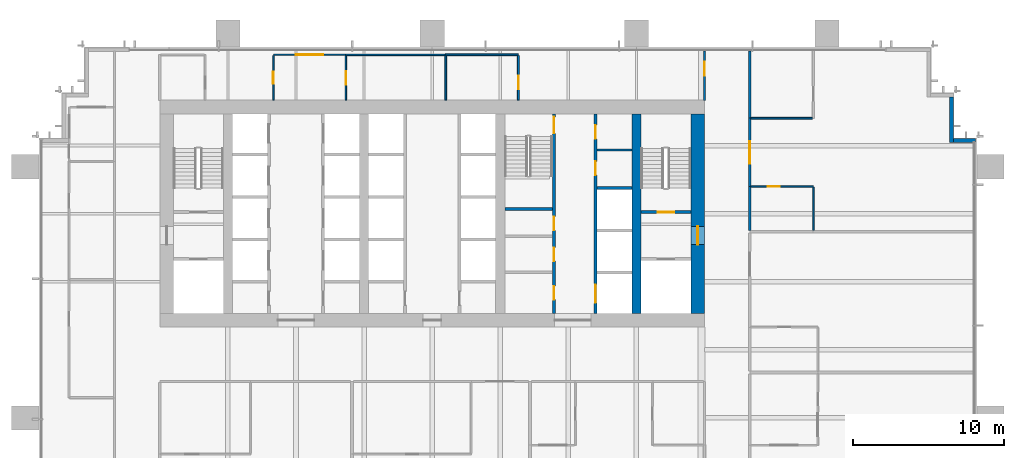
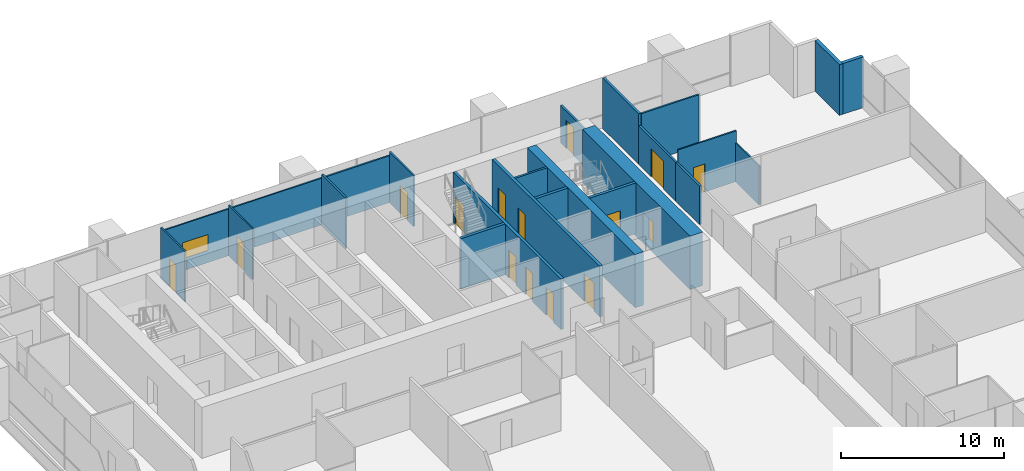
# One storey, part 15 of 17: 24 walls, 15 doors, 1 window, 16 openings.
"""IFC4 building model written with IfcOpenShell, lengths in metres."""

import ifcopenshell
import ifcopenshell.guid

model = None  # the IFC model being written
_history = None  # IfcOwnerHistory: only IFC2X3 demands one
_inside = {}  # id of a spatial element -> (the spatial element, [elements in it])
_under = {}  # id of a project, library or spatial element -> (it, [spatial elements below it])
_declared = {}  # id of a project -> (the project, [libraries it declares])
_typed = {}  # id of a type object -> (the type object, [elements of that type])
_made_of = {}  # id of a material, layer set ... -> (it, [elements and type objects made of it])


def new_model(schema):
    """Start an empty IFC model of exactly this schema.

    Asked for "IFC4X3", IfcOpenShell would pick the latest addendum, in which some entities
    have other attributes; the version numbers below select the first issue.
    IFC2X3 requires an IfcOwnerHistory on every rooted entity: one is made here for all.
    """
    global model, _history
    if schema == "IFC4X3":
        model = ifcopenshell.file(schema_version=(4, 3, 0, 0))
    else:
        model = ifcopenshell.file(schema=schema)
    _inside.clear()
    _under.clear()
    _declared.clear()
    _typed.clear()
    _made_of.clear()
    _history = None
    if model.schema == "IFC2X3":
        org = make("IfcOrganization", Name="unknown")
        user = make(
            "IfcPersonAndOrganization",
            ThePerson=make("IfcPerson", FamilyName="unknown"),
            TheOrganization=org,
        )
        app = make(
            "IfcApplication",
            ApplicationDeveloper=org,
            Version="unknown",
            ApplicationFullName="unknown",
            ApplicationIdentifier="unknown",
        )
        _history = make(
            "IfcOwnerHistory",
            OwningUser=user,
            OwningApplication=app,
            ChangeAction="ADDED",
            CreationDate=0,
        )
    return model


def make(cls, **values):
    """One entity of the class cls with the attributes given. An attribute that is None is left unset."""
    return model.create_entity(
        cls, **{name: value for name, value in values.items() if value is not None}
    )


def rooted(cls, **values):
    """An entity with a GlobalId (a new one), such as an element, a storey or a relation."""
    return make(cls, GlobalId=ifcopenshell.guid.new(), OwnerHistory=_history, **values)


def si_unit(unit_type, name, prefix=None):
    """IfcSIUnit, for example si_unit("LENGTHUNIT", "METRE", prefix="MILLI")."""
    return make("IfcSIUnit", UnitType=unit_type, Prefix=prefix, Name=name)


def assignment(units):
    """IfcUnitAssignment: the units of a project."""
    return None if units is None else make("IfcUnitAssignment", Units=units)


def point(xyz):
    """IfcCartesianPoint."""
    return None if xyz is None else make("IfcCartesianPoint", Coordinates=xyz)


def direction(xyz):
    """IfcDirection."""
    return None if xyz is None else make("IfcDirection", DirectionRatios=xyz)


def frame(location, z_axis=None, x_axis=None):
    """IfcAxis2Placement3D, a coordinate frame: its origin and axes. An axis left out is left unset."""
    return make(
        "IfcAxis2Placement3D",
        Location=point(location),
        Axis=direction(z_axis),
        RefDirection=direction(x_axis),
    )


def frame_2d(location, x_axis=None):
    """IfcAxis2Placement2D, a coordinate frame in the plane: its origin and x axis."""
    return make(
        "IfcAxis2Placement2D", Location=point(location), RefDirection=direction(x_axis)
    )


def origin():
    """The frame at (0, 0, 0) with its axes left unset."""
    return frame((0.0, 0.0, 0.0))


def place(relative_to, where):
    """IfcLocalPlacement: puts the frame where relative to a parent placement (None: the world)."""
    return make(
        "IfcLocalPlacement", PlacementRelTo=relative_to, RelativePlacement=where
    )


def context(
    kind, dimensions, precision=None, world=None, true_north=None, identifier=None
):
    """IfcGeometricRepresentationContext, for example the 3D "Model" context."""
    return make(
        "IfcGeometricRepresentationContext",
        ContextIdentifier=identifier,
        ContextType=kind,
        CoordinateSpaceDimension=dimensions,
        Precision=precision,
        WorldCoordinateSystem=world,
        TrueNorth=true_north,
    )


def subcontext(parent, identifier, kind, view, scale=None):
    """IfcGeometricRepresentationSubContext, for example "Body" below "Model"."""
    return make(
        "IfcGeometricRepresentationSubContext",
        ContextIdentifier=identifier,
        ContextType=kind,
        ParentContext=parent,
        TargetScale=scale,
        TargetView=view,
    )


def project(units=None, contexts=None):
    """IfcProject with its units and contexts."""
    return rooted(
        "IfcProject",
        Name="project",
        RepresentationContexts=contexts,
        UnitsInContext=assignment(units),
    )


def spatial(cls, under=None, at=None, **own):
    """A site, building, storey or space (cls), placed at a placement, below another one or the project."""
    s = rooted(cls, ObjectPlacement=at, **own)
    if under is not None:
        _under.setdefault(under.id(), (under, []))[1].append(s)
    return s


def profile(cls, at=None, kind="AREA", **sizes):
    """A parametric profile (cls). Its sizes go by their IFC names, for example OverallWidth=200.0."""
    return make(cls, ProfileType=kind, Position=at, **sizes)


def rectangle(**sizes):
    """IfcRectangleProfileDef."""
    return profile("IfcRectangleProfileDef", **sizes)


def extrude(swept, where, along, depth):
    """IfcExtrudedAreaSolid: the profile swept, set in the frame where, extruded along a direction by depth."""
    return make(
        "IfcExtrudedAreaSolid",
        SweptArea=swept,
        Position=where,
        ExtrudedDirection=direction(along),
        Depth=depth,
    )


def shape(context_of_items, identifier, shape_type, items):
    """IfcShapeRepresentation: the items that make up one representation, for example the "Body"."""
    return make(
        "IfcShapeRepresentation",
        ContextOfItems=context_of_items,
        RepresentationIdentifier=identifier,
        RepresentationType=shape_type,
        Items=items,
    )


def material(Name=None, Category=None):
    """IfcMaterial."""
    return make("IfcMaterial", Name=Name, Category=Category)


def layer(
    of_material, thickness, ventilated=None, Name=None, Category=None, Priority=None
):
    """IfcMaterialLayer: one layer of a wall or slab, of a material (None: an air gap)."""
    return make(
        "IfcMaterialLayer",
        Material=of_material,
        LayerThickness=thickness,
        IsVentilated=ventilated,
        Name=Name,
        Category=Category,
        Priority=Priority,
    )


def layer_set(layers, Name=None):
    """IfcMaterialLayerSet."""
    return make("IfcMaterialLayerSet", MaterialLayers=layers, LayerSetName=Name)


def made_of(thing, what):
    """Note that an element or type object is made of a material, layer set ...; save() writes the relation."""
    if what is not None:
        _made_of.setdefault(what.id(), (what, []))[1].append(thing)
    return thing


def type_object(cls, material=None, **own):
    """A type object (cls), such as IfcWallType, which elements share."""
    return made_of(rooted(cls, **own), material)


def element(
    cls,
    number,
    at=None,
    inside=None,
    cuts=None,
    type_object=None,
    material=None,
    context=None,
    identifier="Body",
    shape_type=None,
    held_by="IfcProductDefinitionShape",
    body=None,
    shapes=None,
    **own,
):
    """One element of the class cls, such as IfcWall. Its Tag is "e" and its number.

    at: its placement. inside: the storey or other place that contains it. cuts: it is an
    opening in that element (IfcRelVoidsElement). A single representation is given by context,
    identifier, shape_type and body (its items); several are given by shapes. held_by: the class
    of the entity that holds the representations. save() writes the other relations.
    """
    e = rooted(cls, Tag="e%d" % number, ObjectPlacement=at, **own)
    if body is not None:
        shapes = [shape(context, identifier, shape_type, body)]
    if shapes is not None:
        e.Representation = make(held_by, Representations=shapes)
    if inside is not None:
        _inside.setdefault(inside.id(), (inside, []))[1].append(e)
    if cuts is not None:
        rooted(
            "IfcRelVoidsElement", RelatingBuildingElement=cuts, RelatedOpeningElement=e
        )
    if type_object is not None:
        _typed.setdefault(type_object.id(), (type_object, []))[1].append(e)
    return made_of(e, material)


def fill(opening, filler):
    """IfcRelFillsElement: the door or window that sits in an opening."""
    return rooted(
        "IfcRelFillsElement",
        RelatingOpeningElement=opening,
        RelatedBuildingElement=filler,
    )


def aggregate(whole, parts):
    """IfcRelAggregates: a whole, such as a stair, and the parts it consists of."""
    return rooted("IfcRelAggregates", RelatingObject=whole, RelatedObjects=parts)


def save(model, path):
    """Write the relations noted so far, then the file.

    IfcRelAggregates (storeys below a building ...), IfcRelContainedInSpatialStructure (elements
    in a storey), IfcRelDefinesByType, IfcRelAssociatesMaterial and IfcRelDeclares: one each for
    every whole, place, type object, material and project.
    """
    for whole, parts in _under.values():
        aggregate(whole, parts)
    for where, things in _inside.values():
        rooted(
            "IfcRelContainedInSpatialStructure",
            RelatedElements=things,
            RelatingStructure=where,
        )
    for kind, things in _typed.values():
        rooted("IfcRelDefinesByType", RelatedObjects=things, RelatingType=kind)
    for what, things in _made_of.values():
        rooted("IfcRelAssociatesMaterial", RelatedObjects=things, RelatingMaterial=what)
    for by, libraries in _declared.values():
        rooted("IfcRelDeclares", RelatingContext=by, RelatedDefinitions=libraries)
    model.write(path)


model = new_model("IFC4")

# Units and contexts
model_context = context("Model", 3, precision=1e-05, world=origin(), true_north=direction((0.0, 1.0)))
body_context = subcontext(model_context, "Body", "Model", "MODEL_VIEW")
ifc_project = project(units=[si_unit("LENGTHUNIT", "METRE"), si_unit("AREAUNIT", "SQUARE_METRE"), si_unit("VOLUMEUNIT", "CUBIC_METRE"), si_unit("PLANEANGLEUNIT", "RADIAN"), si_unit("MASSUNIT", "GRAM", prefix="KILO")], contexts=[model_context])

# Site, building, storey
site_placement = place(None, origin())
site = spatial("IfcSite", under=ifc_project, at=site_placement, CompositionType="ELEMENT")
building_placement = place(site_placement, origin())
building = spatial("IfcBuilding", under=site, at=building_placement, Name="Rattan Terrace Tower", CompositionType="ELEMENT")
storey_placement = place(building_placement, frame((0.0, 0.0, 107.699951171875)))
storey = spatial("IfcBuildingStorey", under=building, at=storey_placement, Name="L24", CompositionType="ELEMENT", Elevation=107.699951171875)

# Wall
ifc_material_1 = material(Name="Gypsum board partition")
ifc_layer_1 = layer(ifc_material_1, 0.14990234375)
ifc_layer_set_1 = layer_set([ifc_layer_1], Name="Core partition 150")
wall_type_1 = type_object("IfcWallType", Name="Core partition 150", PredefinedType="PARTITIONING", material=ifc_layer_set_1)
wall_1_placement = place(storey_placement, frame((10.89990234375, 4.199951171875, 0.0), z_axis=(0.0, 0.0, 1.0), x_axis=(1.0, 0.0, 0.0)))
element("IfcWall", 1, at=wall_1_placement, inside=storey, type_object=wall_type_1, Name="Riser room wall", PredefinedType="PARTITIONING", context=body_context, shape_type="SweptSolid", body=[
    extrude(rectangle(XDim=2.300048828125, YDim=0.14990234375, at=frame_2d((1.14990234375, 0.0))), origin(), (0.0, 0.0, 1.0), 3.800048828125),
])

# Wall, opening, door
ifc_material_2 = material(Name="Gypsum board partition")
ifc_layer_2 = layer(ifc_material_2, 0.199951171875)
ifc_layer_set_2 = layer_set([ifc_layer_2], Name="Core partition 200")
wall_type_2 = type_object("IfcWallType", Name="Core partition 200", PredefinedType="PARTITIONING", material=ifc_layer_set_2)
wall_2_placement = place(storey_placement, frame((13.800048828125, 0.10009765625, 0.0), z_axis=(0.0, 0.0, 1.0), x_axis=(1.0, 0.0, 0.0)))
wall_2 = element("IfcWall", 2, at=wall_2_placement, inside=storey, type_object=wall_type_2, Name="Stair enclosure wall", PredefinedType="PARTITIONING", context=body_context, shape_type="SweptSolid", body=[
    extrude(rectangle(XDim=3.300048828125, YDim=0.199951171875, at=frame_2d((1.64990234375, 0.0))), origin(), (0.0, 0.0, 1.0), 3.800048828125),
])
opening_1_placement = place(wall_2_placement, frame((1.10009765625, 0.0, 0.0)))
opening_1 = element("IfcOpeningElement", 3, at=opening_1_placement, cuts=wall_2, Name="Opening L24-D004", PredefinedType="OPENING", context=body_context, shape_type="SweptSolid", body=[
    extrude(rectangle(XDim=1.10009765625, YDim=2.10009765625, at=frame_2d((0.550048828125, 1.050048828125))), frame((0.0, 0.110595703125, 0.0), z_axis=(0.0, -1.0, 0.0), x_axis=(1.0, 0.0, 0.0)), (0.0, 0.0, 1.0), 0.220947265625),
])
ifc_material_3 = material(Name="Hollow-metal fire door leaf")
door_type_1 = type_object("IfcDoorType", Name="Core stair door 1100", OperationType="NOTDEFINED", PredefinedType="DOOR", material=ifc_material_3)
door_1_placement = place(opening_1_placement, origin())
door_1 = element("IfcDoor", 4, at=door_1_placement, inside=storey, type_object=door_type_1, Name="Door L24-D004", OperationType="SINGLE_SWING_LEFT", OverallHeight=2.10009765625, OverallWidth=1.10009765625, PredefinedType="DOOR", context=body_context, shape_type="SweptSolid", body=[
    extrude(rectangle(XDim=1.10009765625, YDim=2.10009765625, at=frame_2d((0.550048828125, 1.050048828125))), frame((0.0, 0.02490234375, 0.0), z_axis=(0.0, -1.0, 0.0), x_axis=(1.0, 0.0, 0.0)), (0.0, 0.0, 1.0), 0.050048828125),
])
fill(opening_1, door_1)

# Wall, openings, doors
wall_3_placement = place(storey_placement, frame((8.050048828125, -6.60009765625, 0.0), z_axis=(0.0, 0.0, 1.0), x_axis=(0.0, 1.0, 0.0)))
wall_3 = element("IfcWall", 5, at=wall_3_placement, inside=storey, type_object=wall_type_2, Name="Lobby wall west", PredefinedType="PARTITIONING", context=body_context, shape_type="SweptSolid", body=[
    extrude(rectangle(XDim=13.2001953125, YDim=0.199951171875, at=frame_2d((6.60009765625, 0.0))), origin(), (0.0, 0.0, 1.0), 3.800048828125),
])
opening_2_placement = place(wall_3_placement, frame((0.909912109375, 0.0, 0.0)))
opening_2 = element("IfcOpeningElement", 6, at=opening_2_placement, cuts=wall_3, Name="Opening L24-D011", PredefinedType="OPENING", context=body_context, shape_type="SweptSolid", body=[
    extrude(rectangle(XDim=0.89990234375, YDim=2.10009765625, at=frame_2d((0.449951171875, 1.050048828125))), frame((0.0, 0.110595703125, 0.0), z_axis=(0.0, -1.0, 0.0), x_axis=(1.0, 0.0, 0.0)), (0.0, 0.0, 1.0), 0.220947265625),
])
opening_3_placement = place(wall_3_placement, frame((3.4599609375, 0.0, 0.0)))
opening_3 = element("IfcOpeningElement", 7, at=opening_3_placement, cuts=wall_3, Name="Opening L24-D012", PredefinedType="OPENING", context=body_context, shape_type="SweptSolid", body=[
    extrude(rectangle(XDim=0.89990234375, YDim=2.10009765625, at=frame_2d((0.449951171875, 1.050048828125))), frame((0.0, 0.110595703125, 0.0), z_axis=(0.0, -1.0, 0.0), x_axis=(1.0, 0.0, 0.0)), (0.0, 0.0, 1.0), 0.220947265625),
])
opening_4_placement = place(wall_3_placement, frame((5.5, 0.0, 0.0)))
opening_4 = element("IfcOpeningElement", 8, at=opening_4_placement, cuts=wall_3, Name="Opening L24-D013", PredefinedType="OPENING", context=body_context, shape_type="SweptSolid", body=[
    extrude(rectangle(XDim=0.89990234375, YDim=2.10009765625, at=frame_2d((0.449951171875, 1.050048828125))), frame((0.0, 0.110595703125, 0.0), z_axis=(0.0, -1.0, 0.0), x_axis=(1.0, 0.0, 0.0)), (0.0, 0.0, 1.0), 0.220947265625),
])
opening_5_placement = place(wall_3_placement, frame((11.89990234375, 0.0, 0.0)))
opening_5 = element("IfcOpeningElement", 9, at=opening_5_placement, cuts=wall_3, Name="Opening L24-D014", PredefinedType="OPENING", context=body_context, shape_type="SweptSolid", body=[
    extrude(rectangle(XDim=1.10009765625, YDim=2.10009765625, at=frame_2d((0.550048828125, 1.050048828125))), frame((0.0, 0.110595703125, 0.0), z_axis=(0.0, -1.0, 0.0), x_axis=(1.0, 0.0, 0.0)), (0.0, 0.0, 1.0), 0.220947265625),
])
ifc_material_4 = material(Name="Hollow-metal fire door leaf")
door_type_2 = type_object("IfcDoorType", Name="Core service room door 900", OperationType="NOTDEFINED", PredefinedType="DOOR", material=ifc_material_4)
door_2_placement = place(opening_4_placement, origin())
door_2 = element("IfcDoor", 10, at=door_2_placement, inside=storey, type_object=door_type_2, Name="Door L24-D013", OperationType="SINGLE_SWING_LEFT", OverallHeight=2.10009765625, OverallWidth=0.89990234375, PredefinedType="DOOR", context=body_context, shape_type="SweptSolid", body=[
    extrude(rectangle(XDim=0.89990234375, YDim=2.10009765625, at=frame_2d((0.449951171875, 1.050048828125))), frame((0.0, 0.02490234375, 0.0), z_axis=(0.0, -1.0, 0.0), x_axis=(1.0, 0.0, 0.0)), (0.0, 0.0, 1.0), 0.050048828125),
])
fill(opening_4, door_2)
door_3_placement = place(opening_5_placement, origin())
door_3 = element("IfcDoor", 11, at=door_3_placement, inside=storey, type_object=door_type_1, Name="Door L24-D014", OperationType="SINGLE_SWING_RIGHT", OverallHeight=2.10009765625, OverallWidth=1.10009765625, PredefinedType="DOOR", context=body_context, shape_type="SweptSolid", body=[
    extrude(rectangle(XDim=1.10009765625, YDim=2.10009765625, at=frame_2d((0.550048828125, 1.050048828125))), frame((0.0, 0.02490234375, 0.0), z_axis=(0.0, -1.0, 0.0), x_axis=(1.0, 0.0, 0.0)), (0.0, 0.0, 1.0), 0.050048828125),
])
fill(opening_5, door_3)
ifc_material_5 = material(Name="Hollow-metal fire door leaf")
door_type_3 = type_object("IfcDoorType", Name="Core toilet door 900", OperationType="NOTDEFINED", PredefinedType="DOOR", material=ifc_material_5)
door_4_placement = place(opening_2_placement, origin())
door_4 = element("IfcDoor", 12, at=door_4_placement, inside=storey, type_object=door_type_3, Name="Door L24-D011", OperationType="SINGLE_SWING_LEFT", OverallHeight=2.10009765625, OverallWidth=0.89990234375, PredefinedType="DOOR", context=body_context, shape_type="SweptSolid", body=[
    extrude(rectangle(XDim=0.89990234375, YDim=2.10009765625, at=frame_2d((0.449951171875, 1.050048828125))), frame((0.0, 0.02490234375, 0.0), z_axis=(0.0, -1.0, 0.0), x_axis=(1.0, 0.0, 0.0)), (0.0, 0.0, 1.0), 0.050048828125),
])
fill(opening_2, door_4)
door_5_placement = place(opening_3_placement, origin())
door_5 = element("IfcDoor", 13, at=door_5_placement, inside=storey, type_object=door_type_3, Name="Door L24-D012", OperationType="SINGLE_SWING_RIGHT", OverallHeight=2.10009765625, OverallWidth=0.89990234375, PredefinedType="DOOR", context=body_context, shape_type="SweptSolid", body=[
    extrude(rectangle(XDim=0.89990234375, YDim=2.10009765625, at=frame_2d((0.449951171875, 1.050048828125))), frame((0.0, 0.02490234375, 0.0), z_axis=(0.0, -1.0, 0.0), x_axis=(1.0, 0.0, 0.0)), (0.0, 0.0, 1.0), 0.050048828125),
])
fill(opening_3, door_5)

# Wall
wall_4_placement = place(storey_placement, frame((4.800048828125, 0.300048828125, 0.0), z_axis=(0.0, 0.0, 1.0), x_axis=(1.0, 0.0, 0.0)))
element("IfcWall", 14, at=wall_4_placement, inside=storey, type_object=wall_type_2, Name="Stair enclosure wall", PredefinedType="PARTITIONING", context=body_context, shape_type="SweptSolid", body=[
    extrude(rectangle(XDim=3.14990234375, YDim=0.199951171875, at=frame_2d((1.574951171875, 0.0))), origin(), (0.0, 0.0, 1.0), 3.800048828125),
])

# Wall, opening, door
ifc_material_6 = material(Name="Concrete C70/85", Category="concrete")
ifc_layer_3 = layer(ifc_material_6, 0.89990234375)
ifc_layer_set_3 = layer_set([ifc_layer_3], Name="Core ring wall 900 C70/85")
wall_type_3 = type_object("IfcWallType", Name="Core ring wall 900 C70/85", PredefinedType="SHEAR", material=ifc_layer_set_3)
wall_5_placement = place(storey_placement, frame((17.550048828125, -6.60009765625, -0.199951171875), z_axis=(0.0, 0.0, 1.0), x_axis=(0.0, 1.0, 0.0)))
wall_5 = element("IfcWall", 15, at=wall_5_placement, inside=storey, type_object=wall_type_3, Name="Rear core wall east", PredefinedType="SHEAR", context=body_context, shape_type="SweptSolid", body=[
    extrude(rectangle(XDim=13.2001953125, YDim=0.89990234375, at=frame_2d((6.60009765625, 0.0))), origin(), (0.0, 0.0, 1.0), 4.0),
])
opening_6_placement = place(wall_5_placement, frame((4.550048828125, 0.0, 0.199951171875)))
opening_6 = element("IfcOpeningElement", 16, at=opening_6_placement, cuts=wall_5, Name="Opening L24-D003", PredefinedType="OPENING", context=body_context, shape_type="SweptSolid", body=[
    extrude(rectangle(XDim=1.199951171875, YDim=2.10009765625, at=frame_2d((0.60009765625, 1.050048828125))), frame((0.0, 0.46044921875, 0.0), z_axis=(0.0, -1.0, 0.0), x_axis=(1.0, 0.0, 0.0)), (0.0, 0.0, 1.0), 0.9208984375),
])
ifc_material_7 = material(Name="Hollow-metal fire door leaf")
door_type_4 = type_object("IfcDoorType", Name="Core fire-fighting lobby door 1200", OperationType="NOTDEFINED", PredefinedType="DOOR", material=ifc_material_7)
door_6_placement = place(opening_6_placement, origin())
door_6 = element("IfcDoor", 17, at=door_6_placement, inside=storey, type_object=door_type_4, Name="Door L24-D003", OperationType="SINGLE_SWING_RIGHT", OverallHeight=2.10009765625, OverallWidth=1.199951171875, PredefinedType="DOOR", context=body_context, shape_type="SweptSolid", body=[
    extrude(rectangle(XDim=1.199951171875, YDim=2.10009765625, at=frame_2d((0.60009765625, 1.050048828125))), frame((0.0, 0.02490234375, 0.0), z_axis=(0.0, -1.0, 0.0), x_axis=(1.0, 0.0, 0.0)), (0.0, 0.0, 1.0), 0.050048828125),
])
fill(opening_6, door_6)

# Walls
ifc_material_8 = material(Name="Concrete C70/85", Category="concrete")
ifc_layer_4 = layer(ifc_material_8, 0.60009765625)
ifc_layer_set_4 = layer_set([ifc_layer_4], Name="Core spine wall 600 C70/85")
wall_type_4 = type_object("IfcWallType", Name="Core spine wall 600 C70/85", PredefinedType="SHEAR", material=ifc_layer_set_4)
wall_6_placement = place(storey_placement, frame((13.5, -6.60009765625, -0.199951171875), z_axis=(0.0, 0.0, 1.0), x_axis=(0.0, 1.0, 0.0)))
element("IfcWall", 18, at=wall_6_placement, inside=storey, type_object=wall_type_4, Name="Core spine wall 4", PredefinedType="SHEAR", context=body_context, shape_type="SweptSolid", body=[
    extrude(rectangle(XDim=13.2001953125, YDim=0.60009765625, at=frame_2d((6.60009765625, 0.0))), origin(), (0.0, 0.0, 1.0), 4.0),
])
ifc_material_9 = material(Name="Insulated aluminium-clad stud wall", Category="aluminium")
ifc_layer_5 = layer(ifc_material_9, 0.25)
ifc_layer_set_5 = layer_set([ifc_layer_5], Name="Facade Riser Wall 250")
wall_type_5 = type_object("IfcWallType", Name="Facade Riser Wall 250", PredefinedType="SOLIDWALL", material=ifc_layer_set_5)
wall_7_placement = place(storey_placement, frame((35.909912109375, 4.830078125, 0.0), z_axis=(0.0, 0.0, 1.0), x_axis=(-1.0, 0.0, 0.0)))
element("IfcWall", 19, at=wall_7_placement, inside=storey, type_object=wall_type_5, Name="Riser wall L24-6", PredefinedType="SOLIDWALL", context=body_context, shape_type="SweptSolid", body=[
    extrude(rectangle(XDim=1.454833984375, YDim=0.25, at=frame_2d((0.7275390625, 0.0))), origin(), (0.0, 0.0, 1.0), 3.800048828125),
])
wall_8_placement = place(storey_placement, frame((34.330078125, 4.705078125, 0.0), z_axis=(0.0, 0.0, 1.0), x_axis=(0.0, 1.0, 0.0)))
element("IfcWall", 20, at=wall_8_placement, inside=storey, type_object=wall_type_5, Name="Riser wall L24-7", PredefinedType="SOLIDWALL", context=body_context, shape_type="SweptSolid", body=[
    extrude(rectangle(XDim=3.0, YDim=0.25, at=frame_2d((1.5, 0.0))), origin(), (0.0, 0.0, 1.0), 3.800048828125),
])

# Wall, opening, door
ifc_material_10 = material(Name="Gypsum board partition on steel studs", Category="steel")
ifc_layer_6 = layer(ifc_material_10, 0.10009765625)
ifc_layer_set_6 = layer_set([ifc_layer_6], Name="Floors Partition 100")
wall_type_6 = type_object("IfcWallType", Name="Floors Partition 100", PredefinedType="PARTITIONING", material=ifc_layer_set_6)
wall_9_placement = place(storey_placement, frame((25.199951171875, 1.800048828125, 0.0), z_axis=(0.0, 0.0, 1.0), x_axis=(-1.0, 0.0, 0.0)))
wall_9 = element("IfcWall", 21, at=wall_9_placement, inside=storey, type_object=wall_type_6, Name="pt-L24-058", PredefinedType="PARTITIONING", context=body_context, shape_type="SweptSolid", body=[
    extrude(rectangle(XDim=4.125, YDim=0.10009765625, at=frame_2d((2.0625, 0.0))), origin(), (0.0, 0.0, 1.0), 3.800048828125),
])
opening_7_placement = place(wall_9_placement, frame((2.22802734375, 0.0, 0.0)))
opening_7 = element("IfcOpeningElement", 22, at=opening_7_placement, cuts=wall_9, Name="Opening L24-D114", PredefinedType="OPENING", context=body_context, shape_type="SweptSolid", body=[
    extrude(rectangle(XDim=0.800048828125, YDim=2.10009765625, at=frame_2d((0.39990234375, 1.050048828125))), frame((0.0, 0.060546875, 0.0), z_axis=(0.0, -1.0, 0.0), x_axis=(1.0, 0.0, 0.0)), (0.0, 0.0, 1.0), 0.12109375),
])
ifc_material_11 = material(Name="Solid core timber door, painted", Category="wood")
door_type_5 = type_object("IfcDoorType", Name="Floors Store Door 800x2100", OperationType="NOTDEFINED", PredefinedType="DOOR", material=ifc_material_11)
door_7_placement = place(opening_7_placement, origin())
door_7 = element("IfcDoor", 23, at=door_7_placement, inside=storey, type_object=door_type_5, Name="d-L24-114", OperationType="SINGLE_SWING_RIGHT", OverallHeight=2.10009765625, OverallWidth=0.800048828125, PredefinedType="DOOR", context=body_context, shape_type="SweptSolid", body=[
    extrude(rectangle(XDim=0.800048828125, YDim=2.10009765625, at=frame_2d((0.39990234375, 1.050048828125))), frame((0.0, 0.02490234375, 0.0), z_axis=(0.0, -1.0, 0.0), x_axis=(1.0, 0.0, 0.0)), (0.0, 0.0, 1.0), 0.050048828125),
])
fill(opening_7, door_7)

# Wall
wall_10_placement = place(storey_placement, frame((25.199951171875, -1.110107421875, 0.0), z_axis=(0.0, 0.0, 1.0), x_axis=(0.0, 1.0, 0.0)))
element("IfcWall", 24, at=wall_10_placement, inside=storey, type_object=wall_type_6, Name="pt-L24-059", PredefinedType="PARTITIONING", context=body_context, shape_type="SweptSolid", body=[
    extrude(rectangle(XDim=2.860107421875, YDim=0.10009765625, at=frame_2d((1.43017578125, 0.0))), origin(), (0.0, 0.0, 1.0), 2.900146484375),
])

# Wall, opening, door
wall_11_placement = place(storey_placement, frame((-10.5, 10.449951171875, 0.0), z_axis=(0.0, 0.0, 1.0), x_axis=(0.0, -1.0, 0.0)))
wall_11 = element("IfcWall", 25, at=wall_11_placement, inside=storey, type_object=wall_type_6, Name="pt-L24-064", PredefinedType="PARTITIONING", context=body_context, shape_type="SweptSolid", body=[
    extrude(rectangle(XDim=2.949951171875, YDim=0.10009765625, at=frame_2d((1.47509765625, 0.0))), origin(), (0.0, 0.0, 1.0), 3.800048828125),
])
opening_8_placement = place(wall_11_placement, frame((1.074951171875, 0.0, 0.0)))
opening_8 = element("IfcOpeningElement", 26, at=opening_8_placement, cuts=wall_11, Name="Opening L24-D118", PredefinedType="OPENING", context=body_context, shape_type="SweptSolid", body=[
    extrude(rectangle(XDim=0.800048828125, YDim=2.10009765625, at=frame_2d((0.39990234375, 1.050048828125))), frame((0.0, 0.060546875, 0.0), z_axis=(0.0, -1.0, 0.0), x_axis=(1.0, 0.0, 0.0)), (0.0, 0.0, 1.0), 0.12109375),
])
door_8_placement = place(opening_8_placement, origin())
door_8 = element("IfcDoor", 27, at=door_8_placement, inside=storey, type_object=door_type_5, Name="d-L24-118", OperationType="SINGLE_SWING_LEFT", OverallHeight=2.10009765625, OverallWidth=0.800048828125, PredefinedType="DOOR", context=body_context, shape_type="SweptSolid", body=[
    extrude(rectangle(XDim=0.800048828125, YDim=2.10009765625, at=frame_2d((0.39990234375, 1.050048828125))), frame((0.0, 0.02490234375, 0.0), z_axis=(0.0, -1.0, 0.0), x_axis=(1.0, 0.0, 0.0)), (0.0, 0.0, 1.0), 0.050048828125),
])
fill(opening_8, door_8)

# Wall, opening, window
wall_12_placement = place(storey_placement, frame((-5.719970703125, 10.5, 0.0), z_axis=(0.0, 0.0, 1.0), x_axis=(-1.0, 0.0, 0.0)))
wall_12 = element("IfcWall", 28, at=wall_12_placement, inside=storey, type_object=wall_type_6, Name="pt-L24-065", PredefinedType="PARTITIONING", context=body_context, shape_type="SweptSolid", body=[
    extrude(rectangle(XDim=4.780029296875, YDim=0.10009765625, at=frame_2d((2.39013671875, 0.0))), origin(), (0.0, 0.0, 1.0), 3.5),
])
opening_9_placement = place(wall_12_placement, frame((1.47998046875, 0.0, 0.89990234375)))
opening_9 = element("IfcOpeningElement", 29, at=opening_9_placement, cuts=wall_12, Name="Opening L24-W104", PredefinedType="OPENING", context=body_context, shape_type="SweptSolid", body=[
    extrude(rectangle(XDim=1.800048828125, YDim=1.199951171875, at=frame_2d((0.89990234375, 0.60009765625))), frame((0.0, 0.060546875, 0.0), z_axis=(0.0, -1.0, 0.0), x_axis=(1.0, 0.0, 0.0)), (0.0, 0.0, 1.0), 0.12109375),
])
ifc_material_12 = material(Name="Glass, clear, fixed in aluminium frame", Category="aluminium")
window_type = type_object("IfcWindowType", Name="Interior Vision Window 1800x1200", PartitioningType="SINGLE_PANEL", PredefinedType="WINDOW", material=ifc_material_12)
window_placement = place(opening_9_placement, origin())
window = element("IfcWindow", 30, at=window_placement, inside=storey, type_object=window_type, Name="w-L24-104", OverallHeight=1.199951171875, OverallWidth=1.800048828125, PartitioningType="SINGLE_PANEL", PredefinedType="WINDOW", context=body_context, shape_type="SweptSolid", body=[
    extrude(rectangle(XDim=1.800048828125, YDim=1.199951171875, at=frame_2d((0.89990234375, 0.60009765625))), frame((0.0, 0.030029296875, 0.0), z_axis=(0.0, -1.0, 0.0), x_axis=(1.0, 0.0, 0.0)), (0.0, 0.0, 1.0), 0.06005859375),
])
fill(opening_9, window)

# Wall
wall_13_placement = place(storey_placement, frame((0.8798828125, 10.5, 0.0), z_axis=(0.0, 0.0, 1.0), x_axis=(-1.0, 0.0, 0.0)))
element("IfcWall", 31, at=wall_13_placement, inside=storey, type_object=wall_type_6, Name="pt-L24-066", PredefinedType="PARTITIONING", context=body_context, shape_type="SweptSolid", body=[
    extrude(rectangle(XDim=6.599853515625, YDim=0.10009765625, at=frame_2d((3.2998046875, 0.0))), origin(), (0.0, 0.0, 1.0), 3.5),
])

# Wall, opening, door
wall_14_placement = place(storey_placement, frame((-5.699951171875, 10.449951171875, 0.0), z_axis=(0.0, 0.0, 1.0), x_axis=(0.0, -1.0, 0.0)))
wall_14 = element("IfcWall", 32, at=wall_14_placement, inside=storey, type_object=wall_type_6, Name="pt-L24-069", PredefinedType="PARTITIONING", context=body_context, shape_type="SweptSolid", body=[
    extrude(rectangle(XDim=2.949951171875, YDim=0.10009765625, at=frame_2d((1.47509765625, 0.0))), origin(), (0.0, 0.0, 1.0), 3.800048828125),
])
opening_10_placement = place(wall_14_placement, frame((1.02490234375, 0.0, 0.0)))
opening_10 = element("IfcOpeningElement", 33, at=opening_10_placement, cuts=wall_14, Name="Opening L24-D119", PredefinedType="OPENING", context=body_context, shape_type="SweptSolid", body=[
    extrude(rectangle(XDim=0.89990234375, YDim=2.10009765625, at=frame_2d((0.449951171875, 1.050048828125))), frame((0.0, 0.060546875, 0.0), z_axis=(0.0, -1.0, 0.0), x_axis=(1.0, 0.0, 0.0)), (0.0, 0.0, 1.0), 0.12109375),
])
ifc_material_13 = material(Name="Solid core timber door, painted", Category="wood")
door_type_6 = type_object("IfcDoorType", Name="Floors Door 900x2100", OperationType="NOTDEFINED", PredefinedType="DOOR", material=ifc_material_13)
door_9_placement = place(opening_10_placement, origin())
door_9 = element("IfcDoor", 34, at=door_9_placement, inside=storey, type_object=door_type_6, Name="d-L24-119", OperationType="SINGLE_SWING_RIGHT", OverallHeight=2.10009765625, OverallWidth=0.89990234375, PredefinedType="DOOR", context=body_context, shape_type="SweptSolid", body=[
    extrude(rectangle(XDim=0.89990234375, YDim=2.10009765625, at=frame_2d((0.449951171875, 1.050048828125))), frame((0.0, 0.02490234375, 0.0), z_axis=(0.0, -1.0, 0.0), x_axis=(1.0, 0.0, 0.0)), (0.0, 0.0, 1.0), 0.050048828125),
])
fill(opening_10, door_9)

ifc_material_14 = material(Name="Gypsum board partition on steel studs, fire rated", Category="steel")
ifc_layer_7 = layer(ifc_material_14, 0.14990234375)
ifc_layer_set_7 = layer_set([ifc_layer_7], Name="Floors Tenancy Wall 150")
wall_type_7 = type_object("IfcWallType", Name="Floors Tenancy Wall 150", PredefinedType="PARTITIONING", material=ifc_layer_set_7)
wall_15_placement = place(storey_placement, frame((21.0, 6.320068359375, 0.0), z_axis=(0.0, 0.0, 1.0), x_axis=(0.0, -1.0, 0.0)))
wall_15 = element("IfcWall", 35, at=wall_15_placement, inside=storey, type_object=wall_type_7, Name="pt-L24-016", PredefinedType="PARTITIONING", context=body_context, shape_type="SweptSolid", body=[
    extrude(rectangle(XDim=4.5400390625, YDim=0.14990234375, at=frame_2d((2.27001953125, 0.0))), origin(), (0.0, 0.0, 1.0), 2.900146484375),
])
opening_11_placement = place(wall_15_placement, frame((1.52001953125, 0.0, 0.0)))
opening_11 = element("IfcOpeningElement", 36, at=opening_11_placement, cuts=wall_15, Name="Opening L24-D113", PredefinedType="OPENING", context=body_context, shape_type="SweptSolid", body=[
    extrude(rectangle(XDim=1.5, YDim=2.10009765625, at=frame_2d((0.75, 1.050048828125))), frame((0.0, 0.08544921875, 0.0), z_axis=(0.0, -1.0, 0.0), x_axis=(1.0, 0.0, 0.0)), (0.0, 0.0, 1.0), 0.1708984375),
])
ifc_material_15 = material(Name="Steel fire door set", Category="steel")
door_type_7 = type_object("IfcDoorType", Name="Floors Unit Door Pair FD30S 1500x2100", OperationType="NOTDEFINED", PredefinedType="DOOR", material=ifc_material_15)
door_10_placement = place(opening_11_placement, origin())
door_10 = element("IfcDoor", 37, at=door_10_placement, inside=storey, type_object=door_type_7, Name="d-L24-113", OperationType="DOUBLE_DOOR_SINGLE_SWING", OverallHeight=2.10009765625, OverallWidth=1.5, PredefinedType="DOOR", context=body_context, shape_type="SweptSolid", body=[
    extrude(rectangle(XDim=1.5, YDim=2.10009765625, at=frame_2d((0.75, 1.050048828125))), frame((0.0, 0.02490234375, 0.0), z_axis=(0.0, -1.0, 0.0), x_axis=(1.0, 0.0, 0.0)), (0.0, 0.0, 1.0), 0.050048828125),
])
fill(opening_11, door_10)

# Walls
wall_16_placement = place(storey_placement, frame((21.0, 1.780029296875, 0.0), z_axis=(0.0, 0.0, 1.0), x_axis=(0.0, -1.0, 0.0)))
element("IfcWall", 38, at=wall_16_placement, inside=storey, type_object=wall_type_7, Name="pt-L24-017", PredefinedType="PARTITIONING", context=body_context, shape_type="SweptSolid", body=[
    extrude(rectangle(XDim=2.89013671875, YDim=0.14990234375, at=frame_2d((1.445068359375, 0.0))), origin(), (0.0, 0.0, 1.0), 2.900146484375),
])
wall_17_placement = place(storey_placement, frame((21.0, 10.739990234375, 0.0), z_axis=(0.0, 0.0, 1.0), x_axis=(0.0, -1.0, 0.0)))
element("IfcWall", 39, at=wall_17_placement, inside=storey, type_object=wall_type_7, Name="pt-L24-018", PredefinedType="PARTITIONING", context=body_context, shape_type="SweptSolid", body=[
    extrude(rectangle(XDim=4.419921875, YDim=0.14990234375, at=frame_2d((2.2099609375, 0.0))), origin(), (0.0, 0.0, 1.0), 3.800048828125),
])

# Wall, opening, door
wall_18_placement = place(storey_placement, frame((18.0, 7.47998046875, 0.0), z_axis=(0.0, 0.0, 1.0), x_axis=(0.0, 1.0, 0.0)))
wall_18 = element("IfcWall", 40, at=wall_18_placement, inside=storey, type_object=wall_type_7, Name="pt-L24-019", PredefinedType="PARTITIONING", context=body_context, shape_type="SweptSolid", body=[
    extrude(rectangle(XDim=3.260009765625, YDim=0.14990234375, at=frame_2d((1.6298828125, 0.0))), origin(), (0.0, 0.0, 1.0), 2.800048828125),
])
opening_12_placement = place(wall_18_placement, frame((1.64501953125, 0.0, 0.0)))
opening_12 = element("IfcOpeningElement", 41, at=opening_12_placement, cuts=wall_18, Name="Opening L24-D116", PredefinedType="OPENING", context=body_context, shape_type="SweptSolid", body=[
    extrude(rectangle(XDim=0.89990234375, YDim=2.10009765625, at=frame_2d((0.449951171875, 1.050048828125))), frame((0.0, 0.08544921875, 0.0), z_axis=(0.0, -1.0, 0.0), x_axis=(1.0, 0.0, 0.0)), (0.0, 0.0, 1.0), 0.1708984375),
])
ifc_material_16 = material(Name="Steel fire door set", Category="steel")
door_type_8 = type_object("IfcDoorType", Name="Floors Fire Door FD30S 900x2100", OperationType="NOTDEFINED", PredefinedType="DOOR", material=ifc_material_16)
door_11_placement = place(opening_12_placement, origin())
door_11 = element("IfcDoor", 42, at=door_11_placement, inside=storey, type_object=door_type_8, Name="d-L24-116", OperationType="SINGLE_SWING_RIGHT", OverallHeight=2.10009765625, OverallWidth=0.89990234375, PredefinedType="DOOR", context=body_context, shape_type="SweptSolid", body=[
    extrude(rectangle(XDim=0.89990234375, YDim=2.10009765625, at=frame_2d((0.449951171875, 1.050048828125))), frame((0.0, 0.02490234375, 0.0), z_axis=(0.0, -1.0, 0.0), x_axis=(1.0, 0.0, 0.0)), (0.0, 0.0, 1.0), 0.050048828125),
])
fill(opening_12, door_11)

# Walls
ifc_material_17 = material(Name="Moisture resistant gypsum board partition on steel studs with service cavity", Category="steel")
ifc_layer_8 = layer(ifc_material_17, 0.1201171875)
ifc_layer_set_8 = layer_set([ifc_layer_8], Name="Floors Wet Wall 120")
wall_type_8 = type_object("IfcWallType", Name="Floors Wet Wall 120", PredefinedType="PARTITIONING", material=ifc_layer_set_8)
wall_19_placement = place(storey_placement, frame((21.074951171875, 6.300048828125, 0.0), z_axis=(0.0, 0.0, 1.0), x_axis=(1.0, 0.0, 0.0)))
element("IfcWall", 43, at=wall_19_placement, inside=storey, type_object=wall_type_8, Name="pt-L24-060", PredefinedType="PARTITIONING", context=body_context, shape_type="SweptSolid", body=[
    extrude(rectangle(XDim=4.06494140625, YDim=0.1201171875, at=frame_2d((2.032470703125, 0.0))), origin(), (0.0, 0.0, 1.0), 3.800048828125),
])
wall_20_placement = place(storey_placement, frame((5.699951171875, 10.5, 0.0), z_axis=(0.0, 0.0, 1.0), x_axis=(-1.0, 0.0, 0.0)))
element("IfcWall", 44, at=wall_20_placement, inside=storey, type_object=wall_type_8, Name="pt-L24-067", PredefinedType="PARTITIONING", context=body_context, shape_type="SweptSolid", body=[
    extrude(rectangle(XDim=4.820068359375, YDim=0.1201171875, at=frame_2d((2.41015625, 0.0))), origin(), (0.0, 0.0, 1.0), 3.5),
])

# Wall, opening, door
wall_21_placement = place(storey_placement, frame((5.699951171875, 7.5, 0.0), z_axis=(0.0, 0.0, 1.0), x_axis=(0.0, 1.0, 0.0)))
wall_21 = element("IfcWall", 45, at=wall_21_placement, inside=storey, type_object=wall_type_8, Name="pt-L24-068", PredefinedType="PARTITIONING", context=body_context, shape_type="SweptSolid", body=[
    extrude(rectangle(XDim=2.93994140625, YDim=0.1201171875, at=frame_2d((1.469970703125, 0.0))), origin(), (0.0, 0.0, 1.0), 3.800048828125),
])
opening_13_placement = place(wall_21_placement, frame((0.7119140625, 0.0, 0.0)))
opening_13 = element("IfcOpeningElement", 46, at=opening_13_placement, cuts=wall_21, Name="Opening L24-D120", PredefinedType="OPENING", context=body_context, shape_type="SweptSolid", body=[
    extrude(rectangle(XDim=0.89990234375, YDim=2.10009765625, at=frame_2d((0.449951171875, 1.050048828125))), frame((0.0, 0.070556640625, 0.0), z_axis=(0.0, -1.0, 0.0), x_axis=(1.0, 0.0, 0.0)), (0.0, 0.0, 1.0), 0.14111328125),
])
door_12_placement = place(opening_13_placement, origin())
door_12 = element("IfcDoor", 47, at=door_12_placement, inside=storey, type_object=door_type_6, Name="d-L24-120", OperationType="SINGLE_SWING_LEFT", OverallHeight=2.10009765625, OverallWidth=0.89990234375, PredefinedType="DOOR", context=body_context, shape_type="SweptSolid", body=[
    extrude(rectangle(XDim=0.89990234375, YDim=2.10009765625, at=frame_2d((0.449951171875, 1.050048828125))), frame((0.0, 0.02490234375, 0.0), z_axis=(0.0, -1.0, 0.0), x_axis=(1.0, 0.0, 0.0)), (0.0, 0.0, 1.0), 0.050048828125),
])
fill(opening_13, door_12)

# Wall
wall_22_placement = place(storey_placement, frame((0.89990234375, 10.43994140625, 0.0), z_axis=(0.0, 0.0, 1.0), x_axis=(0.0, -1.0, 0.0)))
element("IfcWall", 48, at=wall_22_placement, inside=storey, type_object=wall_type_8, Name="pt-L24-070", PredefinedType="PARTITIONING", context=body_context, shape_type="SweptSolid", body=[
    extrude(rectangle(XDim=2.93994140625, YDim=0.1201171875, at=frame_2d((1.469970703125, 0.0))), origin(), (0.0, 0.0, 1.0), 3.800048828125),
])

# Wall, openings, doors
ifc_material_18 = material(Name="Gypsum shaft wall system")
ifc_layer_9 = layer(ifc_material_18, 0.199951171875)
ifc_layer_set_9 = layer_set([ifc_layer_9], Name="Lift shaft wall 200")
wall_type_9 = type_object("IfcWallType", Name="Lift shaft wall 200", PredefinedType="PARTITIONING", material=ifc_layer_set_9)
wall_23_placement = place(storey_placement, frame((10.800048828125, -6.60009765625, 0.0), z_axis=(0.0, 0.0, 1.0), x_axis=(0.0, 1.0, 0.0)))
wall_23 = element("IfcWall", 49, at=wall_23_placement, inside=storey, type_object=wall_type_9, Name="Lift shaft front wall", PredefinedType="PARTITIONING", context=body_context, shape_type="SweptSolid", body=[
    extrude(rectangle(XDim=13.2001953125, YDim=0.199951171875, at=frame_2d((6.60009765625, 0.0))), origin(), (0.0, 0.0, 1.0), 3.800048828125),
])
opening_14_placement = place(wall_23_placement, frame((0.699951171875, 0.0, 0.0)))
opening_14 = element("IfcOpeningElement", 50, at=opening_14_placement, cuts=wall_23, Name="Opening L24-LD-SV1", PredefinedType="OPENING", context=body_context, shape_type="SweptSolid", body=[
    extrude(rectangle(XDim=1.199951171875, YDim=2.10009765625, at=frame_2d((0.60009765625, 1.050048828125))), frame((0.0, 0.110595703125, 0.0), z_axis=(0.0, -1.0, 0.0), x_axis=(1.0, 0.0, 0.0)), (0.0, 0.0, 1.0), 0.220947265625),
])
opening_15_placement = place(wall_23_placement, frame((9.14990234375, 0.0, 0.0)))
opening_15 = element("IfcOpeningElement", 51, at=opening_15_placement, cuts=wall_23, Name="Opening L24-D016", PredefinedType="OPENING", context=body_context, shape_type="SweptSolid", body=[
    extrude(rectangle(XDim=0.89990234375, YDim=2.10009765625, at=frame_2d((0.449951171875, 1.050048828125))), frame((0.0, 0.110595703125, 0.0), z_axis=(0.0, -1.0, 0.0), x_axis=(1.0, 0.0, 0.0)), (0.0, 0.0, 1.0), 0.220947265625),
])
opening_16_placement = place(wall_23_placement, frame((11.550048828125, 0.0, 0.0)))
opening_16 = element("IfcOpeningElement", 52, at=opening_16_placement, cuts=wall_23, Name="Opening L24-D017", PredefinedType="OPENING", context=body_context, shape_type="SweptSolid", body=[
    extrude(rectangle(XDim=0.89990234375, YDim=2.10009765625, at=frame_2d((0.449951171875, 1.050048828125))), frame((0.0, 0.110595703125, 0.0), z_axis=(0.0, -1.0, 0.0), x_axis=(1.0, 0.0, 0.0)), (0.0, 0.0, 1.0), 0.220947265625),
])
ifc_material_19 = material(Name="Brushed stainless landing door panel")
door_type_9 = type_object("IfcDoorType", Name="Core lift landing door 1200", OperationType="DOUBLE_DOOR_SLIDING", PredefinedType="DOOR", material=ifc_material_19)
door_13_placement = place(opening_14_placement, origin())
door_13 = element("IfcDoor", 53, at=door_13_placement, inside=storey, type_object=door_type_9, Name="Door L24-LD-SV1", OperationType="DOUBLE_DOOR_SLIDING", OverallHeight=2.10009765625, OverallWidth=1.199951171875, PredefinedType="DOOR", context=body_context, shape_type="SweptSolid", body=[
    extrude(rectangle(XDim=1.199951171875, YDim=2.10009765625, at=frame_2d((0.60009765625, 1.050048828125))), frame((0.0, 0.02490234375, 0.0), z_axis=(0.0, -1.0, 0.0), x_axis=(1.0, 0.0, 0.0)), (0.0, 0.0, 1.0), 0.050048828125),
])
fill(opening_14, door_13)
ifc_material_20 = material(Name="Hollow-metal fire door leaf")
door_type_10 = type_object("IfcDoorType", Name="Core riser door 900", OperationType="NOTDEFINED", PredefinedType="DOOR", material=ifc_material_20)
door_14_placement = place(opening_15_placement, origin())
door_14 = element("IfcDoor", 54, at=door_14_placement, inside=storey, type_object=door_type_10, Name="Door L24-D016", OperationType="SINGLE_SWING_LEFT", OverallHeight=2.10009765625, OverallWidth=0.89990234375, PredefinedType="DOOR", context=body_context, shape_type="SweptSolid", body=[
    extrude(rectangle(XDim=0.89990234375, YDim=2.10009765625, at=frame_2d((0.449951171875, 1.050048828125))), frame((0.0, 0.02490234375, 0.0), z_axis=(0.0, -1.0, 0.0), x_axis=(1.0, 0.0, 0.0)), (0.0, 0.0, 1.0), 0.050048828125),
])
fill(opening_15, door_14)
door_15_placement = place(opening_16_placement, origin())
door_15 = element("IfcDoor", 55, at=door_15_placement, inside=storey, type_object=door_type_10, Name="Door L24-D017", OperationType="SINGLE_SWING_RIGHT", OverallHeight=2.10009765625, OverallWidth=0.89990234375, PredefinedType="DOOR", context=body_context, shape_type="SweptSolid", body=[
    extrude(rectangle(XDim=0.89990234375, YDim=2.10009765625, at=frame_2d((0.449951171875, 1.050048828125))), frame((0.0, 0.02490234375, 0.0), z_axis=(0.0, -1.0, 0.0), x_axis=(1.0, 0.0, 0.0)), (0.0, 0.0, 1.0), 0.050048828125),
])
fill(opening_16, door_15)

# Wall
wall_24_placement = place(storey_placement, frame((10.89990234375, 1.699951171875, 0.0), z_axis=(0.0, 0.0, 1.0), x_axis=(1.0, 0.0, 0.0)))
element("IfcWall", 56, at=wall_24_placement, inside=storey, type_object=wall_type_9, Name="Lift shaft wall", PredefinedType="PARTITIONING", context=body_context, shape_type="SweptSolid", body=[
    extrude(rectangle(XDim=2.300048828125, YDim=0.199951171875, at=frame_2d((1.14990234375, 0.0))), origin(), (0.0, 0.0, 1.0), 3.800048828125),
])

save(model, "model.ifc")
